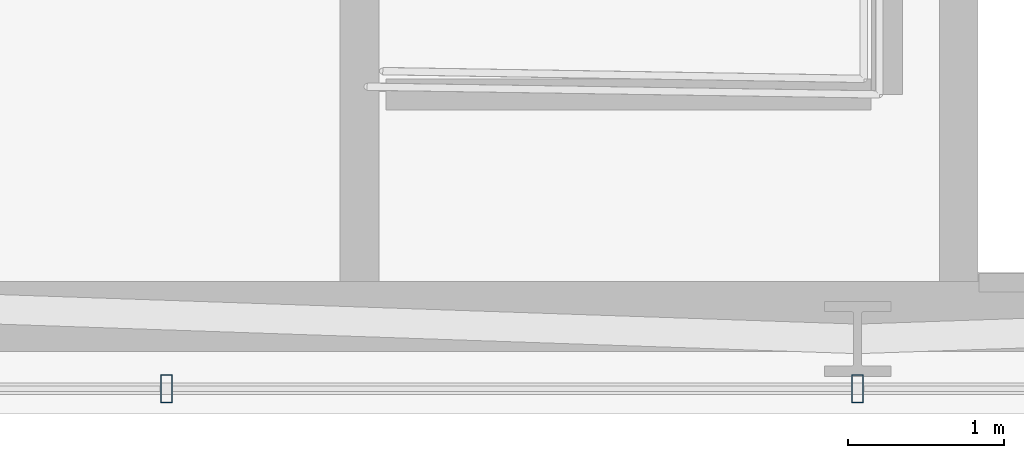
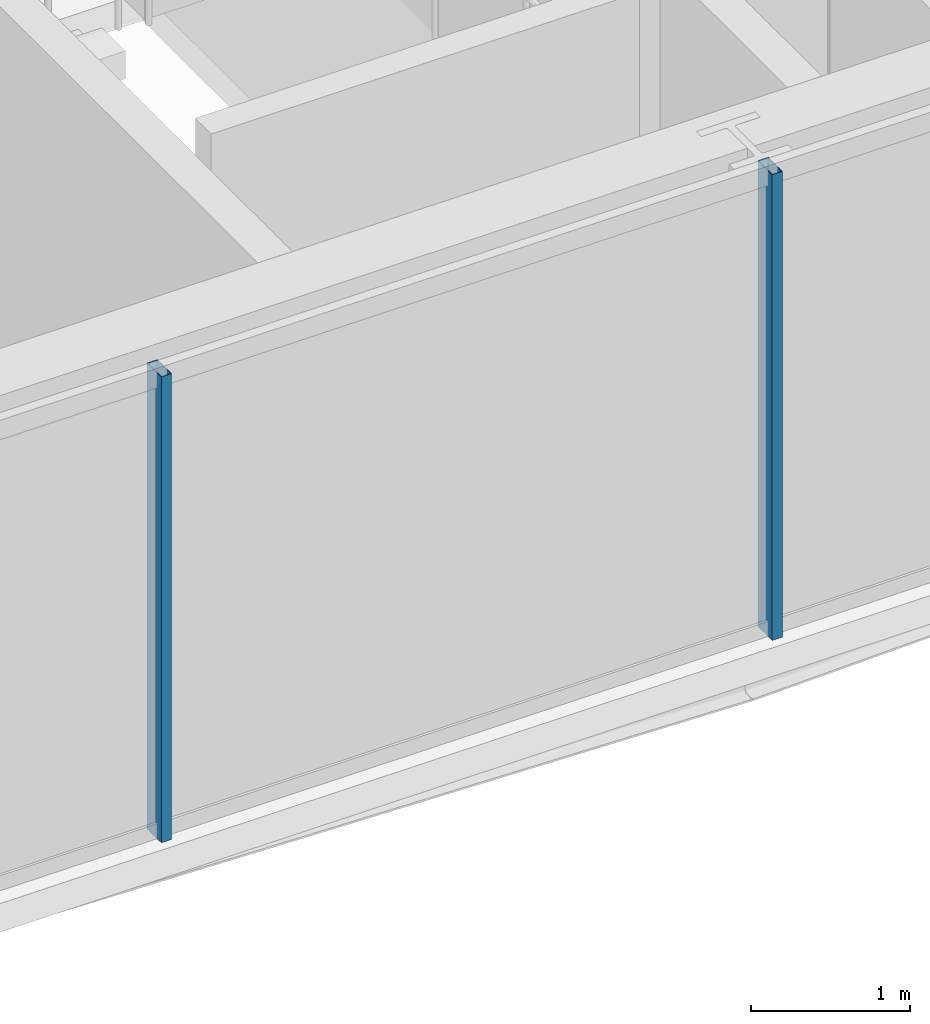
# One storey, part 7 of 31: 2 members, 1 element without a shape of its own.
"""IFC4 building model written with IfcOpenShell, lengths in metres."""

from ifc_helpers import new_model, si_unit, direction, frame, origin, origin_2d, place, context, subcontext, project, spatial, hollow_rectangle, extrude, material, layer, layer_set, material_profile, profile_set, type_object, element, aggregate, save


model = new_model("IFC4")

# Units and contexts
model_context = context("Model", 3, precision=1e-05, world=origin(), true_north=direction((0.0, 1.0)))
body_context = subcontext(model_context, "Body", "Model", "MODEL_VIEW")
ifc_project = project(units=[si_unit("LENGTHUNIT", "METRE"), si_unit("AREAUNIT", "SQUARE_METRE"), si_unit("VOLUMEUNIT", "CUBIC_METRE"), si_unit("PLANEANGLEUNIT", "RADIAN"), si_unit("MASSUNIT", "GRAM", prefix="KILO")], contexts=[model_context])

# Site, building, storey
site_placement = place(None, origin())
site = spatial("IfcSite", under=ifc_project, at=site_placement, CompositionType="ELEMENT")
building_placement = place(site_placement, origin())
building = spatial("IfcBuilding", under=site, at=building_placement, Name="Ndaravel Arena Tower", CompositionType="ELEMENT")
storey_placement = place(building_placement, frame((0.0, 0.0, 138.39990234375)))
storey = spatial("IfcBuildingStorey", under=building, at=storey_placement, Name="L32", CompositionType="ELEMENT", Elevation=138.39990234375)

# Curtain wall, members
ifc_material_1 = material(Name="Aluminium", Category="aluminium")
ifc_layer = layer(ifc_material_1, 0.179931640625)
ifc_layer_set = layer_set([ifc_layer], Name="Aluminium")
curtain_wall_type = type_object("IfcCurtainWallType", Name="CW-SYS-03", PredefinedType="NOTDEFINED", material=ifc_layer_set)
curtain_wall_placement = place(storey_placement, origin())
curtain_wall = element("IfcCurtainWall", 1, at=curtain_wall_placement, inside=storey, type_object=curtain_wall_type, Name="L32 Faceted Crystal Curtain Wall CW-L32-E01", PredefinedType="NOTDEFINED")
ifc_material_2 = material(Name="Aluminium", Category="aluminium")
ifc_material_profile = material_profile(ifc_material_2, hollow_rectangle(XDim=0.074951171875, YDim=0.179931640625, WallThickness=0.00390625, at=origin_2d()), Name="CW MULLION 75x180x4")
ifc_profile_set = profile_set([ifc_material_profile], Name="Aluminium")
member_type = type_object("IfcMemberType", Name="MEM-CW-MUL180", PredefinedType="MULLION", material=ifc_profile_set)
member_1_placement = place(storey_placement, frame((37.56005859375, 5.159912109375, 0.0), z_axis=(0.0, 0.0, 1.0), x_axis=(1.0, 0.0, 0.0)))
member_1 = element("IfcMember", 2, at=member_1_placement, type_object=member_type, Name="CW-L32-E01 Mullion 03", PredefinedType="MULLION", context=body_context, shape_type="SweptSolid", body=[
    extrude(hollow_rectangle(XDim=0.074951171875, YDim=0.179931640625, WallThickness=0.00390625, at=origin_2d()), origin(), (0.0, 0.0, 1.0), 3.580078125),
])
member_2_placement = place(storey_placement, frame((42.0, 5.159912109375, 0.0), z_axis=(0.0, 0.0, 1.0), x_axis=(1.0, 0.0, 0.0)))
member_2 = element("IfcMember", 3, at=member_2_placement, type_object=member_type, Name="CW-L32-E01 Mullion 04", PredefinedType="MULLION", context=body_context, shape_type="SweptSolid", body=[
    extrude(hollow_rectangle(XDim=0.074951171875, YDim=0.179931640625, WallThickness=0.00390625, at=origin_2d()), origin(), (0.0, 0.0, 1.0), 3.580078125),
])
aggregate(curtain_wall, [member_1, member_2])

save(model, "model.ifc")
